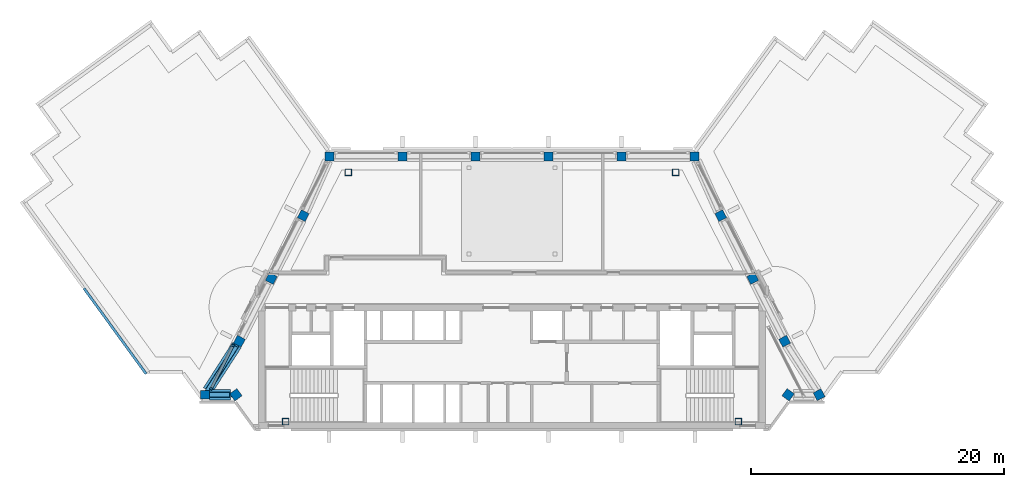
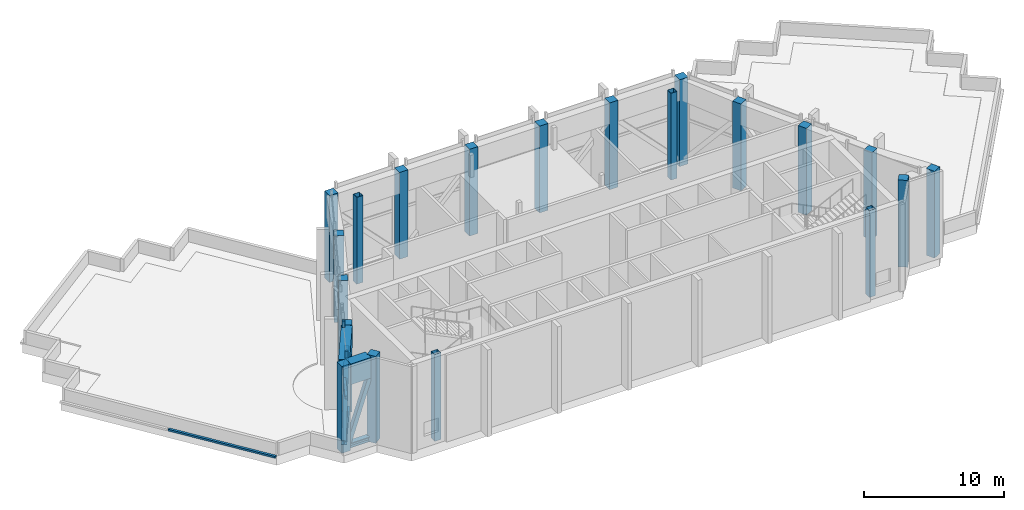
"""IFC4 building model written with IfcOpenShell, lengths in metres."""

from ifc_helpers import new_model, si_unit, direction, frame, origin, origin_2d, place, context, subcontext, project, spatial, rectangle, hollow_rectangle, i_section, extrude, material, material_profile, profile_set, type_object, element, aggregate, save


model = new_model("IFC4")

# Units and contexts
model_context = context("Model", 3, precision=1e-05, world=origin(), true_north=direction((0.0, 1.0)))
body_context = subcontext(model_context, "Body", "Model", "MODEL_VIEW")
ifc_project = project(units=[si_unit("LENGTHUNIT", "METRE"), si_unit("AREAUNIT", "SQUARE_METRE"), si_unit("VOLUMEUNIT", "CUBIC_METRE"), si_unit("PLANEANGLEUNIT", "RADIAN"), si_unit("MASSUNIT", "GRAM", prefix="KILO")], contexts=[model_context])

# Site, building, storey
site_placement = place(None, origin())
site = spatial("IfcSite", under=ifc_project, at=site_placement, CompositionType="ELEMENT")
building_placement = place(site_placement, origin())
building = spatial("IfcBuilding", under=site, at=building_placement, Name="Quipu Civic Tower", CompositionType="ELEMENT")
storey_1_placement = place(building_placement, frame((0.0, 0.0, 355.0)))
storey_1 = spatial("IfcBuildingStorey", under=building, at=storey_1_placement, Name="L83", CompositionType="ELEMENT", Elevation=355.0)

# Columns
ifc_material_1 = material(Name="Steel ASTM A500 Grade C (fy 345 MPa)", Category="steel")
ifc_material_profile_1 = material_profile(ifc_material_1, hollow_rectangle(XDim=0.508056640625, YDim=0.508056640625, WallThickness=0.015869140625, at=origin_2d()), Name="HSS508x508x16")
ifc_profile_set_1 = profile_set([ifc_material_profile_1], Name="Steel ASTM A500 Grade C (fy 345 MPa)")
column_type_1 = type_object("IfcColumnType", Name="Crown leg base post HSS508x508x16", PredefinedType="COLUMN", material=ifc_profile_set_1)
for number, where, z_axis, x_axis, name in (
    (1, (-17.8701171875, -10.433837890625, 0.0), (0.0, 0.0, 1.0), (1.0, 0.0, 0.0), "Crown leg base post L83 1"),
    (2, (17.8701171875, -10.433837890625, 0.0), (0.0, 0.0, 1.0), (1.0, 0.0, 0.0), "Crown leg base post L83 2"),
    (3, (12.916015625, 9.242919921875, 0.0), (0.0, 0.0, 1.0), (1.0, 0.0, 0.0), "Crown leg base post L83 3"),
    (4, (-12.916015625, 9.242919921875, 0.0), (0.0, 0.0, 1.0), (1.0, 0.0, 0.0), "Crown leg base post L83 4"),
):
    element("IfcColumn", number, at=place(storey_1_placement, frame(where, z_axis=z_axis, x_axis=x_axis)), inside=storey_1, type_object=column_type_1, Name=name, PredefinedType="COLUMN", context=body_context, shape_type="SweptSolid", body=[
        extrude(hollow_rectangle(XDim=0.508056640625, YDim=0.508056640625, WallThickness=0.015869140625, at=origin_2d()), origin(), (0.0, 0.0, 1.0), 7.550048828125),
    ])
ifc_material_2 = material(Name="Concrete C40/50", Category="concrete")
ifc_material_profile_2 = material_profile(ifc_material_2, rectangle(XDim=0.699951171875, YDim=0.699951171875, at=origin_2d()), Name="RC700x700")
ifc_profile_set_2 = profile_set([ifc_material_profile_2], Name="Concrete C40/50")
column_type_2 = type_object("IfcColumnType", Name="Perimeter column RC 700x700 C40/50", PredefinedType="COLUMN", material=ifc_profile_set_2)
for number, where, z_axis, x_axis, name in (
    (5, (-16.474365234375, 5.8193359375, 0.0), (0.0, 0.0, 1.0), (-0.45399049974, -0.891006524188, 0.0), "Column L83 W-SIDE-01"),
    (6, (-18.998291015625, 0.865478515625, 0.0), (0.0, 0.0, 1.0), (-0.45399049974, -0.891006524188, 0.0), "Column L83 W-SIDE-02"),
    (7, (-21.52197265625, -4.0888671875, 0.0), (0.0, 0.0, 1.0), (-0.45399049974, -0.891006524188, 0.0), "Column L83 W-SIDE-03"),
    (8, (-24.235107421875, -8.31494140625, 0.0), (0.0, 0.0, 1.0), (1.0, 0.0, 0.0), "Column L83 J-Wo.2"),
    (9, (-21.791748046875, -8.31494140625, 0.0), (0.0, 0.0, 1.0), (0.587785252292, -0.809016994375, 0.0), "Column L83 J-Wo.3"),
    (10, (21.791748046875, -8.31494140625, 0.0), (0.0, 0.0, 1.0), (0.587785252292, 0.809016994375, 0.0), "Column L83 J-Eo.1"),
    (11, (24.235107421875, -8.31494140625, 0.0), (0.0, 0.0, 1.0), (-0.45399049974, 0.891006524188, 0.0), "Column L83 J-Eo.2"),
    (12, (21.52197265625, -4.0888671875, 0.0), (0.0, 0.0, 1.0), (-0.45399049974, 0.891006524188, 0.0), "Column L83 E-SIDE-01"),
    (13, (18.998291015625, 0.865478515625, 0.0), (0.0, 0.0, 1.0), (-0.45399049974, 0.891006524188, 0.0), "Column L83 E-SIDE-02"),
    (14, (16.474365234375, 5.8193359375, 0.0), (0.0, 0.0, 1.0), (-0.45399049974, 0.891006524188, 0.0), "Column L83 E-SIDE-03"),
    (15, (14.395263671875, 10.5, 0.0), (0.0, 0.0, 1.0), (-1.0, 0.0, 0.0), "Column L83 J-Ei.0"),
    (16, (8.63720703125, 10.5, 0.0), (0.0, 0.0, 1.0), (-1.0, 0.0, 0.0), "Column L83 FRONT-01"),
    (17, (2.87890625, 10.5, 0.0), (0.0, 0.0, 1.0), (-1.0, 0.0, 0.0), "Column L83 FRONT-02"),
    (18, (-2.87890625, 10.5, 0.0), (0.0, 0.0, 1.0), (-1.0, 0.0, 0.0), "Column L83 FRONT-03"),
    (19, (-8.63720703125, 10.5, 0.0), (0.0, 0.0, 1.0), (-1.0, 0.0, 0.0), "Column L83 FRONT-04"),
    (20, (-14.395263671875, 10.5, 0.0), (0.0, 0.0, 1.0), (-1.0, 0.0, 0.0), "Column L83 J-Wi.0"),
):
    element("IfcColumn", number, at=place(storey_1_placement, frame(where, z_axis=z_axis, x_axis=x_axis)), inside=storey_1, type_object=column_type_2, Name=name, PredefinedType="COLUMN", context=body_context, shape_type="SweptSolid", body=[
        extrude(rectangle(XDim=0.699951171875, YDim=0.699951171875, at=origin_2d()), origin(), (0.0, 0.0, 1.0), 7.550048828125),
    ])

# Beams
ifc_material_3 = material(Name="Steel ASTM A992 Grade 50 (fy 345 MPa)", Category="steel")
ifc_material_profile_3 = material_profile(ifc_material_3, i_section(OverallWidth=0.403564453125, OverallDepth=0.407470703125, WebThickness=0.027099609375, FlangeThickness=0.043701171875, at=origin_2d()), Name="W360x347")
ifc_profile_set_3 = profile_set([ifc_material_profile_3], Name="Steel ASTM A992 Grade 50 (fy 345 MPa)")
beam_type_1 = type_object("IfcBeamType", Name="Belt truss bottom chord W360x347", PredefinedType="BEAM", material=ifc_profile_set_3)
beam_1_placement = place(storey_1_placement, frame((-21.7119140625, -4.384765625, 0.3037109375), z_axis=(-0.540209328346, -0.841530677734, 0.0), x_axis=(0.841530677734, -0.540209328346, 0.0)))
element("IfcBeam", 21, at=beam_1_placement, inside=storey_1, type_object=beam_type_1, Name="Truss bottom chord L83 W-SIDE-03 to J-Wo.2", PredefinedType="BEAM", context=body_context, shape_type="SweptSolid", body=[
    extrude(i_section(OverallWidth=0.403564453125, OverallDepth=0.407470703125, WebThickness=0.027099609375, FlangeThickness=0.043701171875, at=origin_2d()), origin(), (0.0, 0.0, 1.0), 4.254638671875),
])
beam_2_placement = place(storey_1_placement, frame((-23.885009765625, -8.31494140625, 0.3037109375), z_axis=(1.0, 0.0, 0.0), x_axis=(0.0, 1.0, 0.0)))
element("IfcBeam", 22, at=beam_2_placement, inside=storey_1, type_object=beam_type_1, Name="Truss bottom chord L83 J-Wo.2 to J-Wo.3", PredefinedType="BEAM", context=body_context, shape_type="SweptSolid", body=[
    extrude(i_section(OverallWidth=0.403564453125, OverallDepth=0.407470703125, WebThickness=0.027099609375, FlangeThickness=0.043701171875, at=origin_2d()), origin(), (0.0, 0.0, 1.0), 1.66064453125),
])

# Members
ifc_material_4 = material(Name="Steel ASTM A500 Grade C (fy 345 MPa)", Category="steel")
ifc_material_profile_4 = material_profile(ifc_material_4, hollow_rectangle(XDim=0.355712890625, YDim=0.355712890625, WallThickness=0.015869140625, at=origin_2d()), Name="HSS356x356x16")
ifc_profile_set_4 = profile_set([ifc_material_profile_4], Name="Steel ASTM A500 Grade C (fy 345 MPa)")
member_type_1 = type_object("IfcMemberType", Name="Belt truss diagonal HSS356x356x16", PredefinedType="BRACE", material=ifc_profile_set_4)
member_1_placement = place(storey_1_placement, frame((-21.711181640625, -4.38330078125, 5.75), z_axis=(-0.343616411936, -0.535312904426, -0.771600839686), x_axis=(0.841545346003, -0.540186477636, 0.0)))
element("IfcMember", 23, at=member_1_placement, inside=storey_1, type_object=member_type_1, Name="Truss diagonal L83 W-SIDE-03 to J-Wo.2", PredefinedType="BRACE", context=body_context, shape_type="SweptSolid", body=[
    extrude(hollow_rectangle(XDim=0.355712890625, YDim=0.355712890625, WallThickness=0.015869140625, at=origin_2d()), origin(), (0.0, 0.0, 1.0), 6.79443359375),
])
member_2_placement = place(storey_1_placement, frame((-23.885009765625, -8.31494140625, 0.50732421875), z_axis=(0.315511808856, 0.0, 0.948921650334), x_axis=(0.0, 1.0, 0.0)))
element("IfcMember", 24, at=member_2_placement, inside=storey_1, type_object=member_type_1, Name="Truss diagonal L83 J-Wo.2 to J-Wo.3", PredefinedType="BRACE", context=body_context, shape_type="SweptSolid", body=[
    extrude(hollow_rectangle(XDim=0.355712890625, YDim=0.355712890625, WallThickness=0.015869140625, at=origin_2d()), origin(), (0.0, 0.0, 1.0), 5.52490234375),
])

# Beams
ifc_material_5 = material(Name="Steel ASTM A572 Grade 50 (fy 345 MPa)", Category="steel")
ifc_material_profile_5 = material_profile(ifc_material_5, hollow_rectangle(XDim=0.800048828125, YDim=1.800048828125, WallThickness=0.050048828125, at=origin_2d()), Name="BX1800x800x50")
ifc_profile_set_5 = profile_set([ifc_material_profile_5], Name="Steel ASTM A572 Grade 50 (fy 345 MPa)")
beam_type_2 = type_object("IfcBeamType", Name="Belt truss top chord BX1800x800x50", PredefinedType="BEAM", material=ifc_profile_set_5)
beam_3_placement = place(storey_1_placement, frame((-21.7119140625, -4.384765625, 6.64990234375), z_axis=(-0.540209328346, -0.841530677734, 0.0), x_axis=(0.841530677734, -0.540209328346, 0.0)))
element("IfcBeam", 25, at=beam_3_placement, inside=storey_1, type_object=beam_type_2, Name="Truss top chord L83 W-SIDE-03 to J-Wo.2", PredefinedType="BEAM", context=body_context, shape_type="SweptSolid", body=[
    extrude(hollow_rectangle(XDim=0.800048828125, YDim=1.800048828125, WallThickness=0.050048828125, at=origin_2d()), origin(), (0.0, 0.0, 1.0), 4.254638671875),
])
beam_4_placement = place(storey_1_placement, frame((-23.885009765625, -8.31494140625, 6.64990234375), z_axis=(1.0, 0.0, 0.0), x_axis=(0.0, 1.0, 0.0)))
element("IfcBeam", 26, at=beam_4_placement, inside=storey_1, type_object=beam_type_2, Name="Truss top chord L83 J-Wo.2 to J-Wo.3", PredefinedType="BEAM", context=body_context, shape_type="SweptSolid", body=[
    extrude(hollow_rectangle(XDim=0.800048828125, YDim=1.800048828125, WallThickness=0.050048828125, at=origin_2d()), origin(), (0.0, 0.0, 1.0), 1.66064453125),
])

# Curtain wall, members
ifc_material_6 = material(Name="Anodised aluminium insulated panel", Category="aluminium")
curtain_wall_type_1 = type_object("IfcCurtainWallType", Name="Insulated infill wall CW7I", PredefinedType="NOTDEFINED", material=ifc_material_6)
curtain_wall_1_placement = place(storey_1_placement, origin())
curtain_wall_1 = element("IfcCurtainWall", 27, at=curtain_wall_1_placement, inside=storey_1, type_object=curtain_wall_type_1, Name="Insulated infill wall CW7I L83 run 3b", PredefinedType="NOTDEFINED")
ifc_material_7 = material(Name="Anodised aluminium", Category="aluminium")
ifc_material_profile_6 = material_profile(ifc_material_7, rectangle(XDim=0.199951171875, YDim=0.179931640625, at=origin_2d()), Name="RECT 200x180")
ifc_profile_set_6 = profile_set([ifc_material_profile_6], Name="Anodised aluminium")
member_type_2 = type_object("IfcMemberType", Name="Mullion CW7I", PredefinedType="MULLION", material=ifc_profile_set_6)
member_3_placement = place(storey_1_placement, frame((-22.008544921875, -4.436279296875, 0.110107421875), z_axis=(0.0, 0.0, 1.0), x_axis=(0.89100759737, -0.453988393496, 0.0)))
member_3 = element("IfcMember", 28, at=member_3_placement, type_object=member_type_2, Name="CW7I mullion 1", PredefinedType="MULLION", context=body_context, shape_type="SweptSolid", body=[
    extrude(rectangle(XDim=0.199951171875, YDim=0.179931640625, at=origin_2d()), origin(), (0.0, 0.0, 1.0), 8.0),
])
member_4_placement = place(storey_1_placement, frame((-23.74072265625, -7.835693359375, 0.110107421875), z_axis=(0.0, 0.0, 1.0), x_axis=(0.89100759737, -0.453988393496, 0.0)))
member_4 = element("IfcMember", 29, at=member_4_placement, type_object=member_type_2, Name="CW7I mullion 2", PredefinedType="MULLION", context=body_context, shape_type="SweptSolid", body=[
    extrude(rectangle(XDim=0.199951171875, YDim=0.179931640625, at=origin_2d()), origin(), (0.0, 0.0, 1.0), 8.0),
])

# Storey
storey_2_placement = place(building_placement, frame((0.0, 0.0, 347.0)))
storey_2 = spatial("IfcBuildingStorey", under=building, at=storey_2_placement, Name="L81", CompositionType="ELEMENT", Elevation=347.0)

# Curtain wall, member
ifc_material_8 = material(Name="Insulated glass unit", Category="glass")
curtain_wall_type_2 = type_object("IfcCurtainWallType", Name="Office curtain wall CW1", PredefinedType="NOTDEFINED", material=ifc_material_8)
curtain_wall_2_placement = place(storey_2_placement, origin())
curtain_wall_2 = element("IfcCurtainWall", 30, at=curtain_wall_2_placement, inside=storey_2, type_object=curtain_wall_type_2, Name="Office curtain wall CW1 L80 run 11", PredefinedType="NOTDEFINED")
ifc_material_9 = material(Name="Anodised aluminium", Category="aluminium")
ifc_material_profile_7 = material_profile(ifc_material_9, rectangle(XDim=0.199951171875, YDim=0.159912109375, at=origin_2d()), Name="RECT 200x160")
ifc_profile_set_7 = profile_set([ifc_material_profile_7], Name="Anodised aluminium")
member_type_3 = type_object("IfcMemberType", Name="Transom CW1", PredefinedType="USERDEFINED", material=ifc_profile_set_7)
member_5_placement = place(storey_1_placement, frame((-33.78955078125, 0.094970703125, 0.0), z_axis=(0.587812107925, -0.808997481935, 0.0), x_axis=(0.808997481935, 0.587812107925, 0.0)))
member_5 = element("IfcMember", 31, at=member_5_placement, inside=storey_1, type_object=member_type_3, Name="CW1 transom 2.4", ObjectType="TRANSOM", PredefinedType="USERDEFINED", context=body_context, shape_type="SweptSolid", body=[
    extrude(rectangle(XDim=0.199951171875, YDim=0.159912109375, at=origin_2d()), origin(), (0.0, 0.0, 1.0), 8.35791015625),
])
aggregate(curtain_wall_2, [member_5])

# Member
ifc_material_10 = material(Name="Anodised aluminium", Category="aluminium")
ifc_material_profile_8 = material_profile(ifc_material_10, rectangle(XDim=0.199951171875, YDim=0.219970703125, at=origin_2d()), Name="RECT 200x220")
ifc_profile_set_8 = profile_set([ifc_material_profile_8], Name="Anodised aluminium")
member_type_4 = type_object("IfcMemberType", Name="Transom CW7I", PredefinedType="USERDEFINED", material=ifc_profile_set_8)
member_6_placement = place(storey_1_placement, frame((-22.049560546875, -4.516357421875, 0.219970703125), z_axis=(-0.453970044916, -0.891016946146, 0.0), x_axis=(0.891016946146, -0.453970044916, 0.0)))
member_6 = element("IfcMember", 32, at=member_6_placement, type_object=member_type_4, Name="CW7I transom 1.1", ObjectType="TRANSOM", PredefinedType="USERDEFINED", context=body_context, shape_type="SweptSolid", body=[
    extrude(rectangle(XDim=0.199951171875, YDim=0.219970703125, at=origin_2d()), origin(), (0.0, 0.0, 1.0), 3.635498046875),
])

member_7_placement = place(storey_1_placement, frame((-22.049560546875, -4.516357421875, 4.0), z_axis=(-0.453970044916, -0.891016946146, 0.0), x_axis=(0.891016946146, -0.453970044916, 0.0)))
member_7 = element("IfcMember", 33, at=member_7_placement, type_object=member_type_4, Name="CW7I transom 1.2", ObjectType="TRANSOM", PredefinedType="USERDEFINED", context=body_context, shape_type="SweptSolid", body=[
    extrude(rectangle(XDim=0.199951171875, YDim=0.219970703125, at=origin_2d()), origin(), (0.0, 0.0, 1.0), 3.635498046875),
])

aggregate(curtain_wall_1, [member_3, member_4, member_6, member_7])

save(model, "model.ifc")
